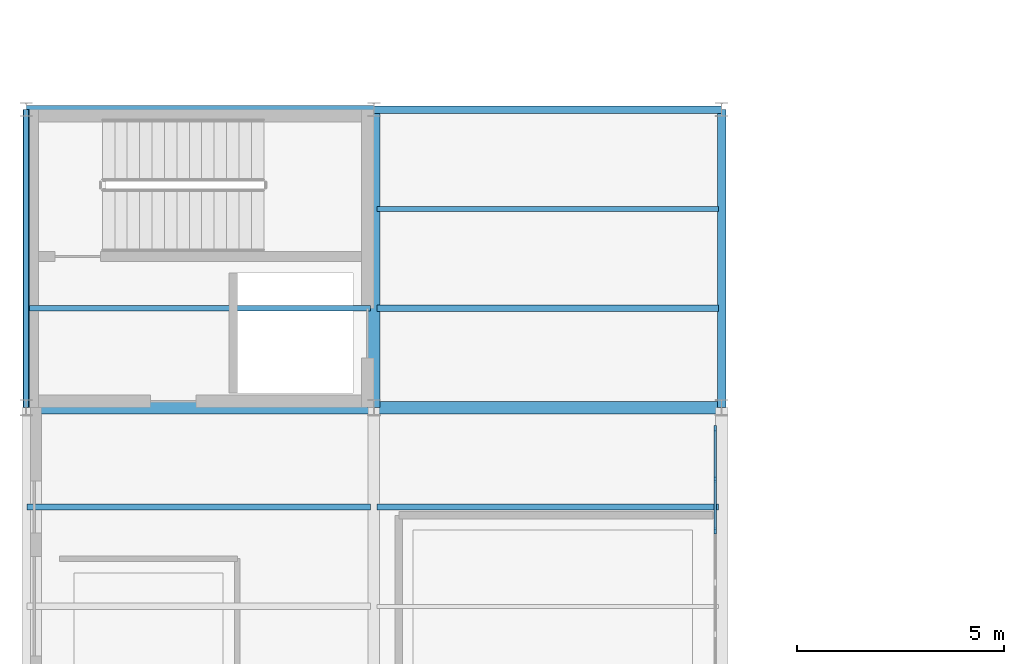
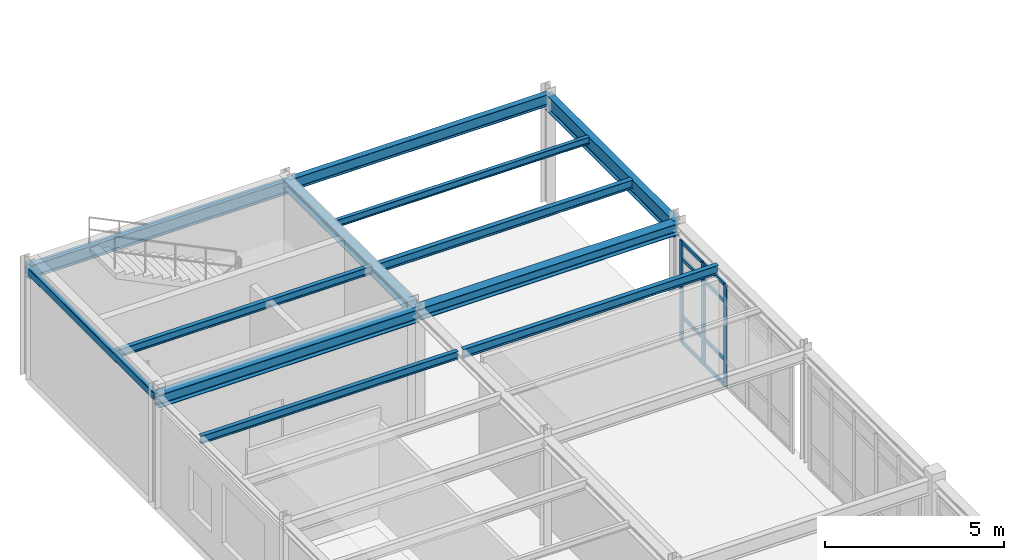
# One storey, part 30 of 58: 12 beams, 11 members, 1 element without a shape of its own.
"""IFC4 building model written with IfcOpenShell, lengths in metres."""

from ifc_helpers import new_model, si_unit, derived_unit, direction, frame, origin, origin_2d, place, context, subcontext, project, spatial, rectangle, hollow_rectangle, i_section, extrude, material, layer, layer_set, material_profile, profile_set, type_object, element, aggregate, save


model = new_model("IFC4")

# Units and contexts
model_context = context("Model", 3, precision=1e-05, world=origin(), true_north=direction((0.0, 1.0)))
body_context = subcontext(model_context, "Body", "Model", "MODEL_VIEW")
ifc_project = project(units=[si_unit("LENGTHUNIT", "METRE"), si_unit("AREAUNIT", "SQUARE_METRE"), si_unit("VOLUMEUNIT", "CUBIC_METRE"), si_unit("PLANEANGLEUNIT", "RADIAN"), si_unit("MASSUNIT", "GRAM", prefix="KILO"), derived_unit("THERMALTRANSMITTANCEUNIT", [(si_unit("POWERUNIT", "WATT"), 1), (si_unit("AREAUNIT", "SQUARE_METRE"), -1), (si_unit("THERMODYNAMICTEMPERATUREUNIT", "KELVIN"), -1)])], contexts=[model_context])

# Site, building, storey
site_placement = place(None, origin())
site = spatial("IfcSite", under=ifc_project, at=site_placement, CompositionType="ELEMENT")
building_placement = place(site_placement, origin())
building = spatial("IfcBuilding", under=site, at=building_placement, Name="Yasenodar Specialist Clinic", CompositionType="ELEMENT")
storey_placement = place(building_placement, frame((0.0, 0.0, 17.25)))
storey = spatial("IfcBuildingStorey", under=building, at=storey_placement, Name="L04", CompositionType="ELEMENT", Elevation=17.25)

# Beams
ifc_material_1 = material(Name="Steel S355", Category="steel")
ifc_material_profile_1 = material_profile(ifc_material_1, i_section(OverallWidth=0.300048828125, OverallDepth=0.2900390625, WebThickness=0.008544921875, FlangeThickness=0.013916015625, FilletRadius=0.027099609375, at=origin_2d()), Name="HEA 300")
ifc_profile_set_1 = profile_set([ifc_material_profile_1], Name="Steel S355")
beam_type_1 = type_object("IfcBeamType", Name="BM-HEA300", PredefinedType="BEAM", material=ifc_profile_set_1)
beam_1_placement = place(storey_placement, frame((8.39990234375, 97.199951171875, 3.655029296875), z_axis=(0.0, 1.0, 0.0), x_axis=(-1.0, 0.0, 0.0)))
element("IfcBeam", 1, at=beam_1_placement, inside=storey, type_object=beam_type_1, Name="L04 Primary N-S Girder", PredefinedType="BEAM", context=body_context, shape_type="SweptSolid", body=[
    extrude(i_section(OverallWidth=0.300048828125, OverallDepth=0.2900390625, WebThickness=0.008544921875, FlangeThickness=0.013916015625, FilletRadius=0.027099609375, at=origin_2d()), origin(), (0.0, 0.0, 1.0), 7.199951171875),
])
ifc_material_profile_2 = material_profile(ifc_material_1, i_section(OverallWidth=0.300048828125, OverallDepth=0.389892578125, WebThickness=0.010986328125, FlangeThickness=0.01904296875, FilletRadius=0.027099609375, at=origin_2d()), Name="HEA 400")
ifc_profile_set_2 = profile_set([ifc_material_profile_2], Name="Steel S355")
beam_type_2 = type_object("IfcBeamType", Name="BM-HEA400", PredefinedType="BEAM", material=ifc_profile_set_2)
beam_2_placement = place(storey_placement, frame((8.39990234375, 97.199951171875, 3.60498046875), z_axis=(1.0, 0.0, 0.0), x_axis=(0.0, 1.0, 0.0)))
element("IfcBeam", 2, at=beam_2_placement, inside=storey, type_object=beam_type_2, Name="L04 Primary E-W Girder", PredefinedType="BEAM", context=body_context, shape_type="SweptSolid", body=[
    extrude(i_section(OverallWidth=0.300048828125, OverallDepth=0.389892578125, WebThickness=0.010986328125, FlangeThickness=0.01904296875, FilletRadius=0.027099609375, at=origin_2d()), origin(), (0.0, 0.0, 1.0), 8.400146484375),
])
ifc_material_profile_3 = material_profile(ifc_material_1, i_section(OverallWidth=0.300048828125, OverallDepth=0.43994140625, WebThickness=0.011474609375, FlangeThickness=0.02099609375, FilletRadius=0.027099609375, at=origin_2d()), Name="HEA 450")
ifc_profile_set_3 = profile_set([ifc_material_profile_3], Name="Steel S355")
beam_type_3 = type_object("IfcBeamType", Name="BM-HEA450", PredefinedType="BEAM", material=ifc_profile_set_3)
beam_3_placement = place(storey_placement, frame((0.0, 97.199951171875, 3.580078125), z_axis=(1.0, 0.0, 0.0), x_axis=(0.0, 1.0, 0.0)))
element("IfcBeam", 3, at=beam_3_placement, inside=storey, type_object=beam_type_3, Name="L04 Primary E-W Girder", PredefinedType="BEAM", context=body_context, shape_type="SweptSolid", body=[
    extrude(i_section(OverallWidth=0.300048828125, OverallDepth=0.43994140625, WebThickness=0.011474609375, FlangeThickness=0.02099609375, FilletRadius=0.027099609375, at=origin_2d()), origin(), (0.0, 0.0, 1.0), 8.39990234375),
])
ifc_material_profile_4 = material_profile(ifc_material_1, i_section(OverallWidth=0.179931640625, OverallDepth=0.39990234375, WebThickness=0.008544921875, FlangeThickness=0.013427734375, FilletRadius=0.02099609375, at=origin_2d()), Name="IPE 400")
ifc_profile_set_4 = profile_set([ifc_material_profile_4], Name="Steel S355")
beam_type_4 = type_object("IfcBeamType", Name="BM-IPE400", PredefinedType="BEAM", material=ifc_profile_set_4)
beam_4_placement = place(storey_placement, frame((8.39990234375, 104.39990234375, 3.60009765625), z_axis=(1.0, 0.0, 0.0), x_axis=(0.0, 1.0, 0.0)))
element("IfcBeam", 4, at=beam_4_placement, inside=storey, type_object=beam_type_4, Name="L04 Primary E-W Girder", PredefinedType="BEAM", context=body_context, shape_type="SweptSolid", body=[
    extrude(i_section(OverallWidth=0.179931640625, OverallDepth=0.39990234375, WebThickness=0.008544921875, FlangeThickness=0.013427734375, FilletRadius=0.02099609375, at=origin_2d()), origin(), (0.0, 0.0, 1.0), 8.400146484375),
])
ifc_material_profile_5 = material_profile(ifc_material_1, i_section(OverallWidth=0.18994140625, OverallDepth=0.449951171875, WebThickness=0.009521484375, FlangeThickness=0.0146484375, FilletRadius=0.02099609375, at=origin_2d()), Name="IPE 450")
ifc_profile_set_5 = profile_set([ifc_material_profile_5], Name="Steel S355")
beam_type_5 = type_object("IfcBeamType", Name="BM-IPE450", PredefinedType="BEAM", material=ifc_profile_set_5)
beam_5_placement = place(storey_placement, frame((0.0, 104.39990234375, 3.574951171875), z_axis=(1.0, 0.0, 0.0), x_axis=(0.0, 1.0, 0.0)))
element("IfcBeam", 5, at=beam_5_placement, inside=storey, type_object=beam_type_5, Name="L04 Primary E-W Girder", PredefinedType="BEAM", context=body_context, shape_type="SweptSolid", body=[
    extrude(i_section(OverallWidth=0.18994140625, OverallDepth=0.449951171875, WebThickness=0.009521484375, FlangeThickness=0.0146484375, FilletRadius=0.02099609375, at=origin_2d()), origin(), (0.0, 0.0, 1.0), 8.39990234375),
])
ifc_material_profile_6 = material_profile(ifc_material_1, i_section(OverallWidth=0.2099609375, OverallDepth=0.550048828125, WebThickness=0.010986328125, FlangeThickness=0.01708984375, FilletRadius=0.02392578125, at=origin_2d()), Name="IPE 550")
ifc_profile_set_6 = profile_set([ifc_material_profile_6], Name="Steel S355")
beam_type_6 = type_object("IfcBeamType", Name="BM-IPE550", PredefinedType="BEAM", material=ifc_profile_set_6)
beam_6_placement = place(storey_placement, frame((16.800048828125, 97.199951171875, 3.52490234375), z_axis=(0.0, 1.0, 0.0), x_axis=(-1.0, 0.0, 0.0)))
element("IfcBeam", 6, at=beam_6_placement, inside=storey, type_object=beam_type_6, Name="L04 Primary N-S Girder", PredefinedType="BEAM", context=body_context, shape_type="SweptSolid", body=[
    extrude(i_section(OverallWidth=0.2099609375, OverallDepth=0.550048828125, WebThickness=0.010986328125, FlangeThickness=0.01708984375, FilletRadius=0.02392578125, at=origin_2d()), origin(), (0.0, 0.0, 1.0), 7.199951171875),
])

# Curtain wall, members
ifc_material_2 = material(Name="Bronze Anodized Aluminium and Triple Low-E Glass", Category="aluminium")
ifc_layer = layer(ifc_material_2, 0.202880859375)
ifc_layer_set = layer_set([ifc_layer], Name="Bronze Anodized Aluminium and Triple Low-E Glass")
curtain_wall_type = type_object("IfcCurtainWallType", Name="CW-SYS-04", PredefinedType="USERDEFINED", material=ifc_layer_set)
curtain_wall_placement = place(storey_placement, origin())
curtain_wall = element("IfcCurtainWall", 7, at=curtain_wall_placement, inside=storey, type_object=curtain_wall_type, Name="L04 Unitised Curtain Wall 136", ObjectType="UNITISED CURTAIN WALL", PredefinedType="USERDEFINED")
ifc_material_3 = material(Name="Bronze Anodized Aluminium", Category="aluminium")
ifc_material_profile_7 = material_profile(ifc_material_3, rectangle(XDim=0.06005859375, YDim=0.159912109375, at=origin_2d()), Name="CW-MULL 60x160")
ifc_profile_set_7 = profile_set([ifc_material_profile_7], Name="Bronze Anodized Aluminium")
member_type_1 = type_object("IfcMemberType", Name="CW-MULL-160", PredefinedType="MULLION", material=ifc_profile_set_7)
member_1_placement = place(storey_placement, frame((16.64990234375, 96.68994140625, 0.0), z_axis=(0.0, 0.0, 1.0), x_axis=(1.0, 0.0, 0.0)))
member_1 = element("IfcMember", 8, at=member_1_placement, type_object=member_type_1, Name="CW-04 mullion 1", PredefinedType="MULLION", context=body_context, shape_type="SweptSolid", body=[
    extrude(rectangle(XDim=0.06005859375, YDim=0.159912109375, at=origin_2d()), origin(), (0.0, 0.0, 1.0), 3.47802734375),
])
member_2_placement = place(storey_placement, frame((16.64990234375, 95.471923828125, 0.0), z_axis=(0.0, 0.0, 1.0), x_axis=(1.0, 0.0, 0.0)))
member_2 = element("IfcMember", 9, at=member_2_placement, type_object=member_type_1, Name="CW-04 mullion 2", PredefinedType="MULLION", context=body_context, shape_type="SweptSolid", body=[
    extrude(rectangle(XDim=0.06005859375, YDim=0.159912109375, at=origin_2d()), origin(), (0.0, 0.0, 1.0), 3.47802734375),
])
member_3_placement = place(storey_placement, frame((16.64990234375, 94.22412109375, 0.0), z_axis=(0.0, 0.0, 1.0), x_axis=(1.0, 0.0, 0.0)))
member_3 = element("IfcMember", 10, at=member_3_placement, type_object=member_type_1, Name="CW-04 mullion 3", PredefinedType="MULLION", context=body_context, shape_type="SweptSolid", body=[
    extrude(rectangle(XDim=0.06005859375, YDim=0.159912109375, at=origin_2d()), origin(), (0.0, 0.0, 1.0), 3.47802734375),
])
ifc_material_profile_8 = material_profile(ifc_material_3, rectangle(XDim=0.06005859375, YDim=0.1201171875, at=origin_2d()), Name="CW-TRAN 60x120")
ifc_profile_set_8 = profile_set([ifc_material_profile_8], Name="Bronze Anodized Aluminium")
member_type_2 = type_object("IfcMemberType", Name="CW-TRAN-120", PredefinedType="USERDEFINED", material=ifc_profile_set_8)
member_4_placement = place(storey_placement, frame((16.64990234375, 96.659912109375, 0.030029296875), z_axis=(0.0, -1.0, 0.0), x_axis=(1.0, 0.0, 0.0)))
member_4 = element("IfcMember", 11, at=member_4_placement, type_object=member_type_2, Name="CW-04 transom 1.1", ObjectType="TRANSOM", PredefinedType="USERDEFINED", context=body_context, shape_type="SweptSolid", body=[
    extrude(rectangle(XDim=0.06005859375, YDim=0.1201171875, at=origin_2d()), origin(), (0.0, 0.0, 1.0), 1.157958984375),
])
member_5_placement = place(storey_placement, frame((16.64990234375, 96.659912109375, 0.89990234375), z_axis=(0.0, -1.0, 0.0), x_axis=(1.0, 0.0, 0.0)))
member_5 = element("IfcMember", 12, at=member_5_placement, type_object=member_type_2, Name="CW-04 transom 1.2", ObjectType="TRANSOM", PredefinedType="USERDEFINED", context=body_context, shape_type="SweptSolid", body=[
    extrude(rectangle(XDim=0.06005859375, YDim=0.1201171875, at=origin_2d()), origin(), (0.0, 0.0, 1.0), 1.157958984375),
])
member_6_placement = place(storey_placement, frame((16.64990234375, 96.659912109375, 2.8779296875), z_axis=(0.0, -1.0, 0.0), x_axis=(1.0, 0.0, 0.0)))
member_6 = element("IfcMember", 13, at=member_6_placement, type_object=member_type_2, Name="CW-04 transom 1.3", ObjectType="TRANSOM", PredefinedType="USERDEFINED", context=body_context, shape_type="SweptSolid", body=[
    extrude(rectangle(XDim=0.06005859375, YDim=0.1201171875, at=origin_2d()), origin(), (0.0, 0.0, 1.0), 1.157958984375),
])
member_7_placement = place(storey_placement, frame((16.64990234375, 96.659912109375, 3.447998046875), z_axis=(0.0, -1.0, 0.0), x_axis=(1.0, 0.0, 0.0)))
member_7 = element("IfcMember", 14, at=member_7_placement, type_object=member_type_2, Name="CW-04 transom 1.4", ObjectType="TRANSOM", PredefinedType="USERDEFINED", context=body_context, shape_type="SweptSolid", body=[
    extrude(rectangle(XDim=0.06005859375, YDim=0.1201171875, at=origin_2d()), origin(), (0.0, 0.0, 1.0), 1.157958984375),
])
member_8_placement = place(storey_placement, frame((16.64990234375, 95.44189453125, 0.030029296875), z_axis=(0.0, -1.0, 0.0), x_axis=(1.0, 0.0, 0.0)))
member_8 = element("IfcMember", 15, at=member_8_placement, type_object=member_type_2, Name="CW-04 transom 2.1", ObjectType="TRANSOM", PredefinedType="USERDEFINED", context=body_context, shape_type="SweptSolid", body=[
    extrude(rectangle(XDim=0.06005859375, YDim=0.1201171875, at=origin_2d()), origin(), (0.0, 0.0, 1.0), 1.18798828125),
])
member_9_placement = place(storey_placement, frame((16.64990234375, 95.44189453125, 0.89990234375), z_axis=(0.0, -1.0, 0.0), x_axis=(1.0, 0.0, 0.0)))
member_9 = element("IfcMember", 16, at=member_9_placement, type_object=member_type_2, Name="CW-04 transom 2.2", ObjectType="TRANSOM", PredefinedType="USERDEFINED", context=body_context, shape_type="SweptSolid", body=[
    extrude(rectangle(XDim=0.06005859375, YDim=0.1201171875, at=origin_2d()), origin(), (0.0, 0.0, 1.0), 1.18798828125),
])
member_10_placement = place(storey_placement, frame((16.64990234375, 95.44189453125, 2.8779296875), z_axis=(0.0, -1.0, 0.0), x_axis=(1.0, 0.0, 0.0)))
member_10 = element("IfcMember", 17, at=member_10_placement, type_object=member_type_2, Name="CW-04 transom 2.3", ObjectType="TRANSOM", PredefinedType="USERDEFINED", context=body_context, shape_type="SweptSolid", body=[
    extrude(rectangle(XDim=0.06005859375, YDim=0.1201171875, at=origin_2d()), origin(), (0.0, 0.0, 1.0), 1.18798828125),
])
member_11_placement = place(storey_placement, frame((16.64990234375, 95.44189453125, 3.447998046875), z_axis=(0.0, -1.0, 0.0), x_axis=(1.0, 0.0, 0.0)))
member_11 = element("IfcMember", 18, at=member_11_placement, type_object=member_type_2, Name="CW-04 transom 2.4", ObjectType="TRANSOM", PredefinedType="USERDEFINED", context=body_context, shape_type="SweptSolid", body=[
    extrude(rectangle(XDim=0.06005859375, YDim=0.1201171875, at=origin_2d()), origin(), (0.0, 0.0, 1.0), 1.18798828125),
])
aggregate(curtain_wall, [member_1, member_2, member_3, member_4, member_5, member_6, member_7, member_8, member_9, member_10, member_11])

# Beams
ifc_material_profile_9 = material_profile(ifc_material_1, i_section(OverallWidth=0.1201171875, OverallDepth=0.239990234375, WebThickness=0.006103515625, FlangeThickness=0.009765625, FilletRadius=0.014892578125, at=origin_2d()), Name="IPE 240")
ifc_profile_set_9 = profile_set([ifc_material_profile_9], Name="Steel S355")
beam_type_7 = type_object("IfcBeamType", Name="JS-IPE240", PredefinedType="JOIST", material=ifc_profile_set_9)
beam_7_placement = place(storey_placement, frame((8.47998046875, 102.0, 3.679931640625), z_axis=(1.0, 0.0, 0.0), x_axis=(0.0, 1.0, 0.0)))
element("IfcBeam", 19, at=beam_7_placement, inside=storey, type_object=beam_type_7, Name="L04 Composite Floor Joist", PredefinedType="JOIST", context=body_context, shape_type="SweptSolid", body=[
    extrude(i_section(OverallWidth=0.1201171875, OverallDepth=0.239990234375, WebThickness=0.006103515625, FlangeThickness=0.009765625, FilletRadius=0.014892578125, at=origin_2d()), origin(), (0.0, 0.0, 1.0), 8.239990234375),
])
ifc_material_profile_10 = material_profile(ifc_material_1, i_section(OverallWidth=0.135009765625, OverallDepth=0.27001953125, WebThickness=0.006591796875, FlangeThickness=0.01025390625, FilletRadius=0.014892578125, at=origin_2d()), Name="IPE 270")
ifc_profile_set_10 = profile_set([ifc_material_profile_10], Name="Steel S355")
beam_type_8 = type_object("IfcBeamType", Name="JS-IPE270", PredefinedType="JOIST", material=ifc_profile_set_10)
for number, where, z_axis, x_axis, name in (
    (20, (0.014892578125, 94.800048828125, 3.6650390625), (1.0, 0.0, 0.0), (0.0, 1.0, 0.0), "L04 Composite Floor Joist"),
    (21, (0.014892578125, 99.60009765625, 3.6650390625), (1.0, 0.0, 0.0), (0.0, 1.0, 0.0), "L04 Composite Floor Joist"),
):
    element("IfcBeam", number, at=place(storey_placement, frame(where, z_axis=z_axis, x_axis=x_axis)), inside=storey, type_object=beam_type_8, Name=name, PredefinedType="JOIST", context=body_context, shape_type="SweptSolid", body=[
        extrude(i_section(OverallWidth=0.135009765625, OverallDepth=0.27001953125, WebThickness=0.006591796875, FlangeThickness=0.01025390625, FilletRadius=0.014892578125, at=origin_2d()), origin(), (0.0, 0.0, 1.0), 8.30517578125),
    ])
ifc_material_profile_11 = material_profile(ifc_material_1, i_section(OverallWidth=0.14990234375, OverallDepth=0.300048828125, WebThickness=0.007080078125, FlangeThickness=0.0107421875, FilletRadius=0.014892578125, at=origin_2d()), Name="IPE 300")
ifc_profile_set_11 = profile_set([ifc_material_profile_11], Name="Steel S355")
beam_type_9 = type_object("IfcBeamType", Name="JS-IPE300", PredefinedType="JOIST", material=ifc_profile_set_11)
for number, where, z_axis, x_axis, name in (
    (22, (8.47998046875, 94.800048828125, 3.64990234375), (1.0, 0.0, 0.0), (0.0, 1.0, 0.0), "L04 Composite Floor Joist"),
    (23, (8.47998046875, 99.60009765625, 3.64990234375), (1.0, 0.0, 0.0), (0.0, 1.0, 0.0), "L04 Composite Floor Joist"),
):
    element("IfcBeam", number, at=place(storey_placement, frame(where, z_axis=z_axis, x_axis=x_axis)), inside=storey, type_object=beam_type_9, Name=name, PredefinedType="JOIST", context=body_context, shape_type="SweptSolid", body=[
        extrude(i_section(OverallWidth=0.14990234375, OverallDepth=0.300048828125, WebThickness=0.007080078125, FlangeThickness=0.0107421875, FilletRadius=0.014892578125, at=origin_2d()), origin(), (0.0, 0.0, 1.0), 8.239990234375),
    ])
ifc_material_profile_12 = material_profile(ifc_material_1, hollow_rectangle(XDim=0.14990234375, YDim=0.25, WallThickness=0.010009765625, InnerFilletRadius=0.014892578125, OuterFilletRadius=0.02490234375, at=origin_2d()), Name="RHS 250x150x10")
ifc_profile_set_12 = profile_set([ifc_material_profile_12], Name="Steel S355")
beam_type_10 = type_object("IfcBeamType", Name="SP-RHS250", PredefinedType="SPANDREL", material=ifc_profile_set_12)
beam_8_placement = place(storey_placement, frame((0.0, 97.199951171875, 3.675048828125), z_axis=(0.0, 1.0, 0.0), x_axis=(-1.0, 0.0, 0.0)))
element("IfcBeam", 24, at=beam_8_placement, inside=storey, type_object=beam_type_10, Name="L04 Perimeter Spandrel Beam", PredefinedType="SPANDREL", context=body_context, shape_type="SweptSolid", body=[
    extrude(hollow_rectangle(XDim=0.14990234375, YDim=0.25, WallThickness=0.010009765625, InnerFilletRadius=0.014892578125, OuterFilletRadius=0.02490234375, at=origin_2d()), origin(), (0.0, 0.0, 1.0), 7.199951171875),
])

save(model, "model.ifc")
